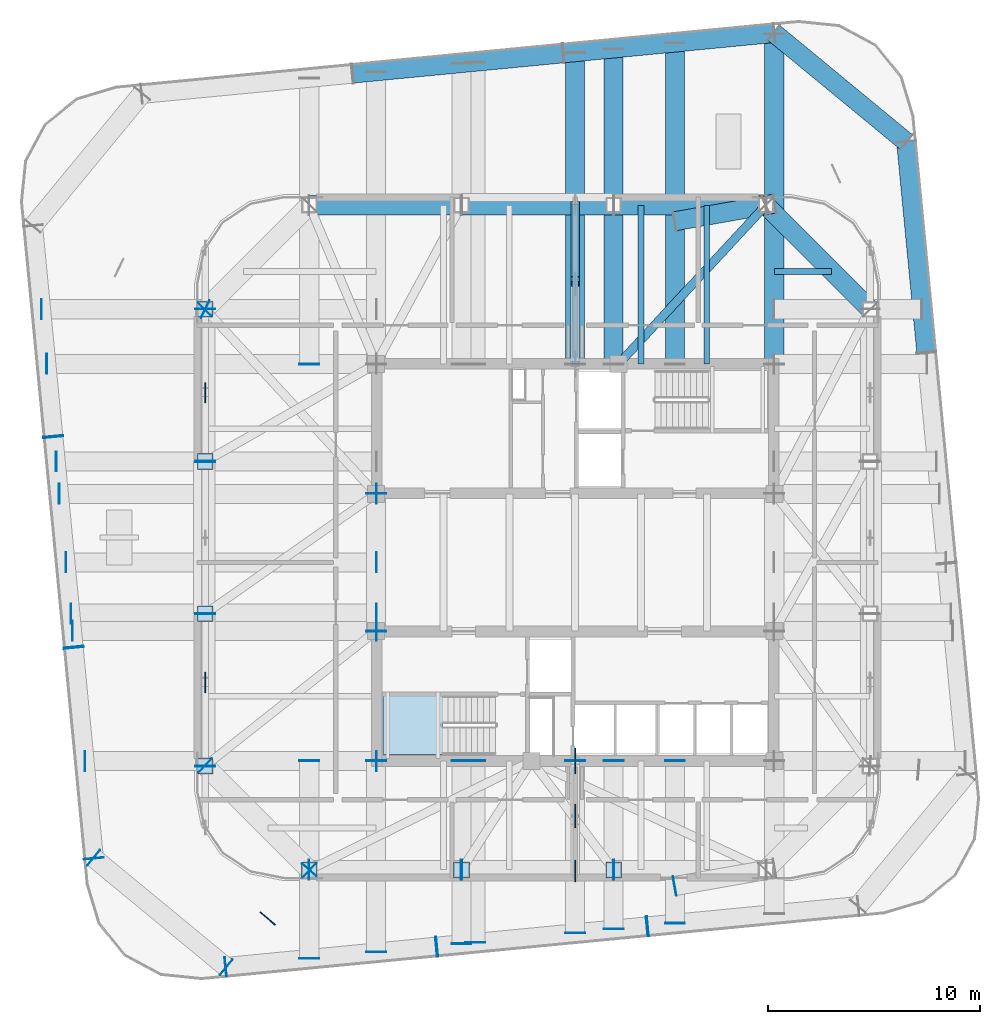
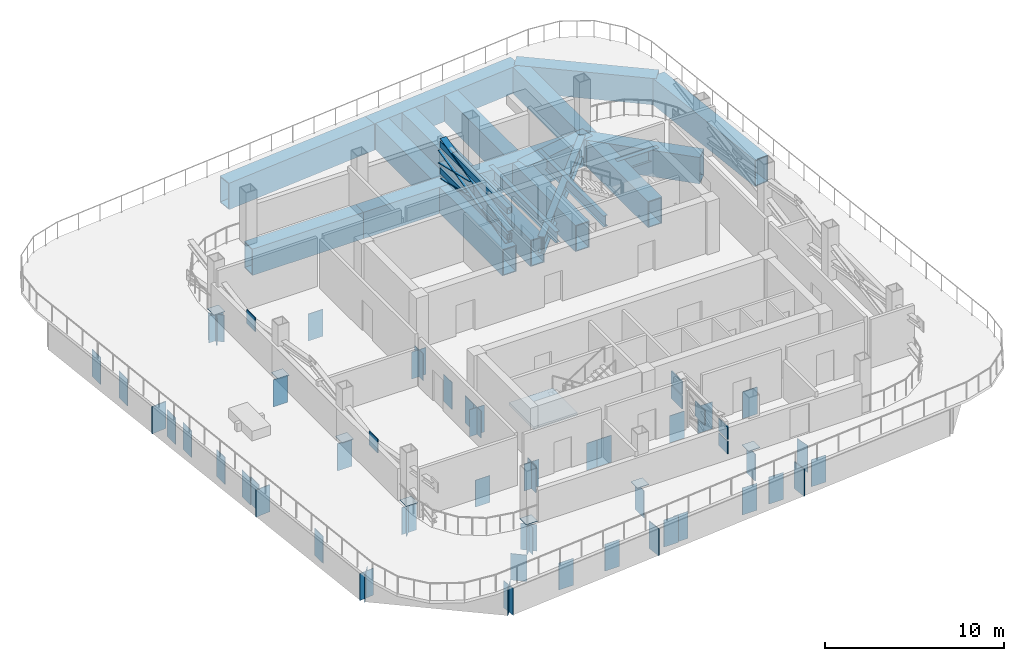
# One storey, part 3 of 12: 74 plates, 17 beams, 4 members, 1 slab, 1 element without a shape of its own.
"""IFC4 building model written with IfcOpenShell, lengths in metres."""

from ifc_helpers import new_model, si_unit, direction, frame, origin, origin_2d, place, context, subcontext, project, spatial, polyline, rectangle, hollow_rectangle, i_section, outline, extrude, material, layer, layer_set, material_profile, profile_set, type_object, element, aggregate, save


model = new_model("IFC4")

# Units and contexts
model_context = context("Model", 3, precision=1e-05, world=origin(), true_north=direction((0.0, 1.0)))
body_context = subcontext(model_context, "Body", "Model", "MODEL_VIEW")
ifc_project = project(units=[si_unit("LENGTHUNIT", "METRE"), si_unit("AREAUNIT", "SQUARE_METRE"), si_unit("VOLUMEUNIT", "CUBIC_METRE"), si_unit("PLANEANGLEUNIT", "RADIAN"), si_unit("MASSUNIT", "GRAM", prefix="KILO")], contexts=[model_context])

# Site, building, storey
site_placement = place(None, origin())
site = spatial("IfcSite", under=ifc_project, at=site_placement, CompositionType="ELEMENT")
building_placement = place(site_placement, origin())
building = spatial("IfcBuilding", under=site, at=building_placement, Name="Qhalaya Broadcast Tower", CompositionType="ELEMENT")
storey_placement = place(building_placement, frame((0.0, 0.0, 187.949951171875)))
storey = spatial("IfcBuildingStorey", under=building, at=storey_placement, Name="L55", CompositionType="ELEMENT", Elevation=187.949951171875)

# Beams
ifc_material_1 = material(Name="Structural Steel ASTM A572 Grade 50", Category="steel")
ifc_material_profile_1 = material_profile(ifc_material_1, hollow_rectangle(XDim=0.89990234375, YDim=1.800048828125, WallThickness=0.06005859375, at=origin_2d()), Name="BOX 900x1800x60")
ifc_profile_set_1 = profile_set([ifc_material_profile_1], Name="Structural Steel ASTM A572 Grade 50")
beam_type_1 = type_object("IfcBeamType", Name="Block Cantilever Transfer Box Girder TG1", PredefinedType="USERDEFINED", material=ifc_profile_set_1)
beam_1_placement = place(storey_placement, frame((13.8798828125, 12.52001953125, -1.179931640625), z_axis=(-0.707106781187, 0.707106781187, 0.0), x_axis=(-0.707106781187, -0.707106781187, 0.0)))
element("IfcBeam", 1, at=beam_1_placement, inside=storey, type_object=beam_type_1, Name="L55 TG1 L55-SPR-08", ObjectType="GIRDER", PredefinedType="USERDEFINED", context=body_context, shape_type="SweptSolid", body=[
    extrude(hollow_rectangle(XDim=0.89990234375, YDim=1.800048828125, WallThickness=0.06005859375, at=origin_2d()), origin(), (0.0, 0.0, 1.0), 6.929443359375),
])
beam_2_placement = place(storey_placement, frame((8.97998046875, 17.419921875, -1.179931640625), z_axis=(-1.0, 0.0, 0.0), x_axis=(0.0, -1.0, 0.0)))
element("IfcBeam", 2, at=beam_2_placement, inside=storey, type_object=beam_type_1, Name="L55 TG1 L55-SPR-09", ObjectType="GIRDER", PredefinedType="USERDEFINED", context=body_context, shape_type="SweptSolid", body=[
    extrude(hollow_rectangle(XDim=0.89990234375, YDim=1.800048828125, WallThickness=0.06005859375, at=origin_2d()), origin(), (0.0, 0.0, 1.0), 7.166748046875),
])
beam_3_placement = place(storey_placement, frame((1.813232421875, 17.419921875, -1.179931640625), z_axis=(-1.0, 0.0, 0.0), x_axis=(0.0, -1.0, 0.0)))
element("IfcBeam", 3, at=beam_3_placement, inside=storey, type_object=beam_type_1, Name="L55 TG1 L55-SPR-10", ObjectType="GIRDER", PredefinedType="USERDEFINED", context=body_context, shape_type="SweptSolid", body=[
    extrude(hollow_rectangle(XDim=0.89990234375, YDim=1.800048828125, WallThickness=0.06005859375, at=origin_2d()), origin(), (0.0, 0.0, 1.0), 7.16650390625),
])
beam_4_placement = place(storey_placement, frame((-5.353271484375, 17.419921875, -1.179931640625), z_axis=(-1.0, 0.0, 0.0), x_axis=(0.0, -1.0, 0.0)))
element("IfcBeam", 4, at=beam_4_placement, inside=storey, type_object=beam_type_1, Name="L55 TG1 L55-SPR-11", ObjectType="GIRDER", PredefinedType="USERDEFINED", context=body_context, shape_type="SweptSolid", body=[
    extrude(hollow_rectangle(XDim=0.89990234375, YDim=1.800048828125, WallThickness=0.06005859375, at=origin_2d()), origin(), (0.0, 0.0, 1.0), 7.166748046875),
])
beam_5_placement = place(storey_placement, frame((16.537353515625, 10.4794921875, -1.179931640625), z_axis=(-0.095850563819, 0.99539573508, 0.0), x_axis=(-0.99539573508, -0.095850563819, 0.0)))
element("IfcBeam", 5, at=beam_5_placement, inside=storey, type_object=beam_type_1, Name="L55 TG1 L55-TGL-07", ObjectType="GIRDER", PredefinedType="USERDEFINED", context=body_context, shape_type="SweptSolid", body=[
    extrude(hollow_rectangle(XDim=0.89990234375, YDim=1.800048828125, WallThickness=0.06005859375, at=origin_2d()), origin(), (0.0, 0.0, 1.0), 9.966796875),
])
beam_6_placement = place(storey_placement, frame((15.58203125, 20.400390625, -1.179931640625), z_axis=(-0.771618906354, 0.636085107008, 0.0), x_axis=(-0.636085107008, -0.771618906354, 0.0)))
element("IfcBeam", 6, at=beam_6_placement, inside=storey, type_object=beam_type_1, Name="L55 TG1 L55-TGL-08", ObjectType="GIRDER", PredefinedType="USERDEFINED", context=body_context, shape_type="SweptSolid", body=[
    extrude(hollow_rectangle(XDim=0.89990234375, YDim=1.800048828125, WallThickness=0.06005859375, at=origin_2d()), origin(), (0.0, 0.0, 1.0), 8.06103515625),
])
beam_7_placement = place(storey_placement, frame((9.362060546875, 25.52783203125, -1.179931640625), z_axis=(-0.99539573508, -0.095850563819, 0.0), x_axis=(0.095850563819, -0.99539573508, 0.0)))
element("IfcBeam", 7, at=beam_7_placement, inside=storey, type_object=beam_type_1, Name="L55 TG1 L55-TGL-09", ObjectType="GIRDER", PredefinedType="USERDEFINED", context=body_context, shape_type="SweptSolid", body=[
    extrude(hollow_rectangle(XDim=0.89990234375, YDim=1.800048828125, WallThickness=0.06005859375, at=origin_2d()), origin(), (0.0, 0.0, 1.0), 9.966796875),
])
beam_8_placement = place(storey_placement, frame((-0.558837890625, 24.572509765625, -1.179931640625), z_axis=(-0.995395510024, -0.095852900965, 0.0), x_axis=(0.095852900965, -0.995395510024, 0.0)))
element("IfcBeam", 8, at=beam_8_placement, inside=storey, type_object=beam_type_1, Name="L55 TG1 L55-TGL-10", ObjectType="GIRDER", PredefinedType="USERDEFINED", context=body_context, shape_type="SweptSolid", body=[
    extrude(hollow_rectangle(XDim=0.89990234375, YDim=1.800048828125, WallThickness=0.06005859375, at=origin_2d()), origin(), (0.0, 0.0, 1.0), 9.966552734375),
])
beam_9_placement = place(storey_placement, frame((9.375, 9.949951171875, -1.179931640625), z_axis=(0.0, 1.0, 0.0), x_axis=(-1.0, 0.0, 0.0)))
element("IfcBeam", 9, at=beam_9_placement, inside=storey, type_object=beam_type_1, Name="L55 TG1 L55-TGINE-1", ObjectType="GIRDER", PredefinedType="USERDEFINED", context=body_context, shape_type="SweptSolid", body=[
    extrude(hollow_rectangle(XDim=0.89990234375, YDim=1.800048828125, WallThickness=0.06005859375, at=origin_2d()), origin(), (0.0, 0.0, 1.0), 15.51513671875),
])
beam_10_placement = place(storey_placement, frame((0.0, 9.949951171875, -1.179931640625), z_axis=(0.0, 1.0, 0.0), x_axis=(-1.0, 0.0, 0.0)))
element("IfcBeam", 10, at=beam_10_placement, inside=storey, type_object=beam_type_1, Name="L55 TG1 L55-TGIMN-1", ObjectType="GIRDER", PredefinedType="USERDEFINED", context=body_context, shape_type="SweptSolid", body=[
    extrude(hollow_rectangle(XDim=0.89990234375, YDim=1.800048828125, WallThickness=0.06005859375, at=origin_2d()), origin(), (0.0, 0.0, 1.0), 14.63623046875),
])
beam_11_placement = place(storey_placement, frame((4.699951171875, 9.949951171875, -1.179931640625), z_axis=(0.0, 1.0, 0.0), x_axis=(-1.0, 0.0, 0.0)))
element("IfcBeam", 11, at=beam_11_placement, inside=storey, type_object=beam_type_1, Name="L55 TG1 L55-TGIMNE-1", ObjectType="GIRDER", PredefinedType="USERDEFINED", context=body_context, shape_type="SweptSolid", body=[
    extrude(hollow_rectangle(XDim=0.89990234375, YDim=1.800048828125, WallThickness=0.06005859375, at=origin_2d()), origin(), (0.0, 0.0, 1.0), 15.0888671875),
])
beam_12_placement = place(storey_placement, frame((4.699951171875, 16.665283203125, -1.179931640625), z_axis=(0.984803226475, 0.173673846979, 0.0), x_axis=(-0.173673846979, 0.984803226475, 0.0)))
element("IfcBeam", 12, at=beam_12_placement, inside=storey, type_object=beam_type_1, Name="L55 Spanning Transfer Box Girder 09", ObjectType="GIRDER", PredefinedType="USERDEFINED", context=body_context, shape_type="SweptSolid", body=[
    extrude(hollow_rectangle(XDim=0.89990234375, YDim=1.800048828125, WallThickness=0.06005859375, at=origin_2d()), origin(), (0.0, 0.0, 1.0), 4.7470703125),
])
beam_13_placement = place(storey_placement, frame((1.813232421875, 9.949951171875, -1.179931640625), z_axis=(0.0, 1.0, 0.0), x_axis=(-1.0, 0.0, 0.0)))
element("IfcBeam", 13, at=beam_13_placement, inside=storey, type_object=beam_type_1, Name="L55 Spanning Transfer Box Girder 10", ObjectType="GIRDER", PredefinedType="USERDEFINED", context=body_context, shape_type="SweptSolid", body=[
    extrude(hollow_rectangle(XDim=0.89990234375, YDim=1.800048828125, WallThickness=0.06005859375, at=origin_2d()), origin(), (0.0, 0.0, 1.0), 14.810791015625),
])

# Members
ifc_material_profile_2 = material_profile(ifc_material_1, i_section(OverallWidth=0.40087890625, OverallDepth=1.0009765625, WebThickness=0.01904296875, FlangeThickness=0.0361328125, at=origin_2d()), Name="W40X249")
ifc_profile_set_2 = profile_set([ifc_material_profile_2], Name="Structural Steel ASTM A572 Grade 50")
member_type_1 = type_object("IfcMemberType", Name="Core-to-Perimeter Outrigger Brace OB1", PredefinedType="BRACE", material=ifc_profile_set_2)
member_1_placement = place(storey_placement, frame((0.0, 9.949951171875, 0.449951171875), z_axis=(0.0, 0.972819090364, 0.231566442781), x_axis=(-1.0, 0.0, 0.0)))
element("IfcMember", 14, at=member_1_placement, inside=storey, type_object=member_type_1, Name="L55 Outrigger Continuous Diagonal NCA", PredefinedType="BRACE", context=body_context, shape_type="SweptSolid", body=[
    extrude(i_section(OverallWidth=0.40087890625, OverallDepth=1.0009765625, WebThickness=0.01904296875, FlangeThickness=0.0361328125, at=origin_2d()), origin(), (0.0, 0.0, 1.0), 7.730224609375),
])
member_2_placement = place(storey_placement, frame((0.0, 13.943603515625, 1.28955078125), z_axis=(0.0, 0.972806937323, -0.231617492208), x_axis=(-1.0, 0.0, 0.0)))
element("IfcMember", 15, at=member_2_placement, inside=storey, type_object=member_type_1, Name="L55 Outrigger Split Diagonal NCB2", PredefinedType="BRACE", context=body_context, shape_type="SweptSolid", body=[
    extrude(i_section(OverallWidth=0.40087890625, OverallDepth=1.0009765625, WebThickness=0.01904296875, FlangeThickness=0.0361328125, at=origin_2d()), origin(), (0.0, 0.0, 1.0), 3.625),
])
ifc_material_profile_3 = material_profile(ifc_material_1, hollow_rectangle(XDim=0.300048828125, YDim=0.39990234375, WallThickness=0.02001953125, at=origin_2d()), Name="HSS 300x400x20")
ifc_profile_set_3 = profile_set([ifc_material_profile_3], Name="Structural Steel ASTM A572 Grade 50")
member_type_2 = type_object("IfcMemberType", Name="Outrigger & Belt-Truss Chord CH1", PredefinedType="CHORD", material=ifc_profile_set_3)
for number, where, z_axis, x_axis, name in (
    (16, (0.0, 9.949951171875, 0.449951171875), (0.0, 1.0, 0.0), (-1.0, 0.0, 0.0), "L55 Outrigger Bottom Chord NC"),
    (17, (0.0, 9.949951171875, 2.239990234375), (0.0, 1.0, 0.0), (-1.0, 0.0, 0.0), "L55 Outrigger Top Chord NC"),
):
    element("IfcMember", number, at=place(storey_placement, frame(where, z_axis=z_axis, x_axis=x_axis)), inside=storey, type_object=member_type_2, Name=name, PredefinedType="CHORD", context=body_context, shape_type="SweptSolid", body=[
        extrude(hollow_rectangle(XDim=0.300048828125, YDim=0.39990234375, WallThickness=0.02001953125, at=origin_2d()), origin(), (0.0, 0.0, 1.0), 7.52001953125),
    ])

# Beams
ifc_material_2 = material(Name="Structural Steel ASTM A992 Grade 50", Category="steel")
ifc_material_profile_4 = material_profile(ifc_material_2, i_section(OverallWidth=0.26708984375, OverallDepth=0.761962890625, WebThickness=0.014404296875, FlangeThickness=0.021484375, at=origin_2d()), Name="W30X116")
ifc_profile_set_4 = profile_set([ifc_material_profile_4], Name="Structural Steel ASTM A992 Grade 50")
beam_type_2 = type_object("IfcBeamType", Name="Plant & Server Floor Beam B02", PredefinedType="BEAM", material=ifc_profile_set_4)
for number, where, z_axis, x_axis, name in (
    (18, (3.10009765625, 9.949951171875, -0.660888671875), (0.0, 1.0, 0.0), (-1.0, 0.0, 0.0), "L55 B02 L55-JNN4-1"),
    (19, (6.199951171875, 9.949951171875, -0.660888671875), (0.0, 1.0, 0.0), (-1.0, 0.0, 0.0), "L55 B02 L55-JNN5-1"),
):
    element("IfcBeam", number, at=place(storey_placement, frame(where, z_axis=z_axis, x_axis=x_axis)), inside=storey, type_object=beam_type_2, Name=name, PredefinedType="BEAM", context=body_context, shape_type="SweptSolid", body=[
        extrude(i_section(OverallWidth=0.26708984375, OverallDepth=0.761962890625, WebThickness=0.014404296875, FlangeThickness=0.021484375, at=origin_2d()), origin(), (0.0, 0.0, 1.0), 7.449951171875),
    ])
beam_14_placement = place(storey_placement, frame((9.375, 14.300048828125, -0.660888671875), z_axis=(1.0, 0.0, 0.0), x_axis=(0.0, 1.0, 0.0)))
element("IfcBeam", 20, at=beam_14_placement, inside=storey, type_object=beam_type_2, Name="L55 B02 L55-JWE6E-1", PredefinedType="BEAM", context=body_context, shape_type="SweptSolid", body=[
    extrude(i_section(OverallWidth=0.26708984375, OverallDepth=0.761962890625, WebThickness=0.014404296875, FlangeThickness=0.021484375, at=origin_2d()), origin(), (0.0, 0.0, 1.0), 2.69677734375),
])
ifc_material_profile_5 = material_profile(ifc_material_2, i_section(OverallWidth=0.404052734375, OverallDepth=1.117919921875, WebThickness=0.026123046875, FlangeThickness=0.044921875, at=origin_2d()), Name="W44X335")
ifc_profile_set_5 = profile_set([ifc_material_profile_5], Name="Structural Steel ASTM A992 Grade 50")
beam_type_3 = type_object("IfcBeamType", Name="Podium Long-Span Primary Girder PG1", PredefinedType="USERDEFINED", material=ifc_profile_set_5)
beam_15_placement = place(storey_placement, frame((2.050048828125, 9.949951171875, -0.8388671875), z_axis=(0.680110068888, 0.733110015071, 0.0), x_axis=(-0.733110015071, 0.680110068888, 0.0)))
element("IfcBeam", 21, at=beam_15_placement, inside=storey, type_object=beam_type_3, Name="L55 Column-to-Column Moment Tie Girder 09-1", ObjectType="GIRDER", PredefinedType="USERDEFINED", context=body_context, shape_type="SweptSolid", body=[
    extrude(i_section(OverallWidth=0.404052734375, OverallDepth=1.117919921875, WebThickness=0.026123046875, FlangeThickness=0.044921875, at=origin_2d()), origin(), (0.0, 0.0, 1.0), 10.189453125),
])

# Plates
ifc_layer_1 = layer(ifc_material_1, 0.4599609375, Name="Structural Steel ASTM A572 Grade 50")
ifc_layer_set_1 = layer_set([ifc_layer_1], Name="Structural Steel ASTM A572 Grade 50")
plate_type_1 = type_object("IfcPlateType", Name="Hollow Box Member End Cap Plate CP-01", PredefinedType="USERDEFINED", material=ifc_layer_set_1)
for number, where, z_axis, x_axis, name in (
    (22, (-12.535888671875, -13.8798828125, -2.10009765625), (0.0, 0.0, 1.0), (0.0, 1.0, 0.0), "L55 Hollow Girder End Cap L55-SPR-01-A"),
    (23, (-5.33740234375, -13.8798828125, -2.10009765625), (0.0, 0.0, 1.0), (0.0, 1.0, 0.0), "L55 Hollow Girder End Cap L55-SPR-01-B"),
    (24, (-5.369384765625, -13.8798828125, -2.10009765625), (0.0, 0.0, 1.0), (0.0, 1.0, 0.0), "L55 Hollow Girder End Cap L55-SPR-02-A"),
    (25, (1.829345703125, -13.8798828125, -2.10009765625), (0.0, 0.0, 1.0), (0.0, 1.0, 0.0), "L55 Hollow Girder End Cap L55-SPR-02-B"),
    (26, (1.79736328125, -13.8798828125, -2.10009765625), (0.0, 0.0, 1.0), (0.0, 1.0, 0.0), "L55 Hollow Girder End Cap L55-SPR-03-A"),
    (27, (-17.431396484375, 12.5087890625, -2.10009765625), (0.0, 0.0, 1.0), (0.707106781187, -0.707106781187, 0.0), "L55 Hollow Girder End Cap L55-SPR-12-B"),
    (28, (-17.419921875, 12.535888671875, -2.10009765625), (0.0, 0.0, 1.0), (1.0, 0.0, 0.0), "L55 Hollow Girder End Cap L55-SPR-13-A"),
    (29, (-17.419921875, 5.33740234375, -2.10009765625), (0.0, 0.0, 1.0), (1.0, 0.0, 0.0), "L55 Hollow Girder End Cap L55-SPR-13-B"),
    (30, (-17.419921875, 5.369384765625, -2.10009765625), (0.0, 0.0, 1.0), (1.0, 0.0, 0.0), "L55 Hollow Girder End Cap L55-SPR-14-A"),
    (31, (-17.419921875, -1.829345703125, -2.10009765625), (0.0, 0.0, 1.0), (1.0, 0.0, 0.0), "L55 Hollow Girder End Cap L55-SPR-14-B"),
    (32, (-17.419921875, -1.79736328125, -2.10009765625), (0.0, 0.0, 1.0), (1.0, 0.0, 0.0), "L55 Hollow Girder End Cap L55-SPR-15-A"),
    (33, (-17.419921875, -8.99609375, -2.10009765625), (0.0, 0.0, 1.0), (1.0, 0.0, 0.0), "L55 Hollow Girder End Cap L55-SPR-15-B"),
    (34, (-17.431396484375, -8.96875, -2.10009765625), (0.0, 0.0, 1.0), (0.707106781187, 0.707106781187, 0.0), "L55 Hollow Girder End Cap L55-SPR-16-A"),
    (35, (-12.5087890625, -13.891357421875, -2.10009765625), (0.0, 0.0, 1.0), (0.707106781187, 0.707106781187, 0.0), "L55 Hollow Girder End Cap L55-SPR-16-B"),
    (36, (-16.4580078125, -18.44921875, -2.10009765625), (0.0, 0.0, 1.0), (-0.09584575252, 0.995396198367, 0.0), "L55 Hollow Girder End Cap L55-TGL-01-A"),
    (37, (-6.50537109375, -17.4912109375, -2.10009765625), (0.0, 0.0, 1.0), (-0.09584575252, 0.995396198367, 0.0), "L55 Hollow Girder End Cap L55-TGL-01-B"),
    (38, (-6.537109375, -17.494140625, -2.10009765625), (0.0, 0.0, 1.0), (-0.09584575252, 0.995396198367, 0.0), "L55 Hollow Girder End Cap L55-TGL-02-A"),
    (39, (3.41552734375, -16.535888671875, -2.10009765625), (0.0, 0.0, 1.0), (-0.09584575252, 0.995396198367, 0.0), "L55 Hollow Girder End Cap L55-TGL-02-B"),
    (40, (3.3837890625, -16.538818359375, -2.10009765625), (0.0, 0.0, 1.0), (-0.09584575252, 0.995396198367, 0.0), "L55 Hollow Girder End Cap L55-TGL-03-A"),
    (41, (-24.571044921875, 6.50537109375, -2.10009765625), (0.0, 0.0, 1.0), (0.995396198367, 0.09584575252, 0.0), "L55 Hollow Girder End Cap L55-TGL-13-B"),
    (42, (-24.57421875, 6.537109375, -2.10009765625), (0.0, 0.0, 1.0), (0.995396198367, 0.09584575252, 0.0), "L55 Hollow Girder End Cap L55-TGL-14-A"),
    (43, (-23.61572265625, -3.41552734375, -2.10009765625), (0.0, 0.0, 1.0), (0.995396198367, 0.09584575252, 0.0), "L55 Hollow Girder End Cap L55-TGL-14-B"),
    (44, (-23.618896484375, -3.3837890625, -2.10009765625), (0.0, 0.0, 1.0), (0.995396198367, 0.09584575252, 0.0), "L55 Hollow Girder End Cap L55-TGL-15-A"),
    (45, (-22.660400390625, -13.336181640625, -2.10009765625), (0.0, 0.0, 1.0), (0.995396198367, 0.09584575252, 0.0), "L55 Hollow Girder End Cap L55-TGL-15-B"),
    (46, (-22.67431640625, -13.310302734375, -2.10009765625), (0.0, 0.0, 1.0), (0.636078220278, 0.771624583388, 0.0), "L55 Hollow Girder End Cap L55-TGL-16-A"),
    (47, (-16.4296875, -18.4580078125, -2.10009765625), (0.0, 0.0, 1.0), (0.636078220278, 0.771624583388, 0.0), "L55 Hollow Girder End Cap L55-TGL-16-B"),
    (48, (0.0, -16.840576171875, -2.10009765625), (0.0, 0.0, 1.0), (-1.0, 0.0, 0.0), "L55 Hollow Girder End Cap L55-TGIMS-1-A"),
    (49, (0.0, -8.73388671875, -2.10009765625), (0.0, 0.0, 1.0), (-1.0, 0.0, 0.0), "L55 Hollow Girder End Cap L55-TGIMS-1-B"),
    (50, (-4.699951171875, -17.29296875, -2.10009765625), (0.0, 0.0, 1.0), (-1.0, 0.0, 0.0), "L55 Hollow Girder End Cap L55-TGIMSW-1-A"),
    (51, (-4.699951171875, -8.73388671875, -2.10009765625), (0.0, 0.0, 1.0), (-1.0, 0.0, 0.0), "L55 Hollow Girder End Cap L55-TGIMSW-1-B"),
    (52, (4.699951171875, -16.387939453125, -2.10009765625), (0.0, 0.0, 1.0), (-1.0, 0.0, 0.0), "L55 Hollow Girder End Cap L55-TGIMSE-1-A"),
    (53, (4.699951171875, -8.73388671875, -2.10009765625), (0.0, 0.0, 1.0), (-1.0, 0.0, 0.0), "L55 Hollow Girder End Cap L55-TGIMSE-1-B"),
    (54, (-23.978271484375, 0.60009765625, -2.10009765625), (0.0, 0.0, 1.0), (0.0, 1.0, 0.0), "L55 Hollow Girder End Cap L55-TGIYW-1-A"),
    (55, (-9.35888671875, 0.60009765625, -2.10009765625), (0.0, 0.0, 1.0), (0.0, 1.0, 0.0), "L55 Hollow Girder End Cap L55-TGIYW-1-B"),
    (56, (-9.375, -17.7431640625, -2.10009765625), (0.0, 0.0, 1.0), (-1.0, 0.0, 0.0), "L55 Hollow Girder End Cap L55-TGISW-1-A"),
    (57, (-9.375, -8.73388671875, -2.10009765625), (0.0, 0.0, 1.0), (-1.0, 0.0, 0.0), "L55 Hollow Girder End Cap L55-TGISW-1-B"),
    (58, (-9.375, -2.64111328125, -2.10009765625), (0.0, 0.0, 1.0), (-1.0, 0.0, 0.0), "L55 Hollow Girder End Cap L55-TGIMW-1-A"),
    (59, (-9.375, 3.841064453125, -2.10009765625), (0.0, 0.0, 1.0), (-1.0, 0.0, 0.0), "L55 Hollow Girder End Cap L55-TGIMW-1-B"),
    (60, (-23.077880859375, -8.75, -2.10009765625), (0.0, 0.0, 1.0), (0.0, 1.0, 0.0), "L55 Hollow Girder End Cap L55-TGIY1W-1-A"),
    (61, (-9.35888671875, -8.75, -2.10009765625), (0.0, 0.0, 1.0), (0.0, 1.0, 0.0), "L55 Hollow Girder End Cap L55-TGIY1W-1-B"),
    (62, (-23.667724609375, -2.625, -2.10009765625), (0.0, 0.0, 1.0), (0.0, 1.0, 0.0), "L55 Hollow Girder End Cap L55-TGIY2W-1-A"),
    (63, (-9.35888671875, -2.625, -2.10009765625), (0.0, 0.0, 1.0), (0.0, 1.0, 0.0), "L55 Hollow Girder End Cap L55-TGIY2W-1-B"),
    (64, (-24.288818359375, 3.824951171875, -2.10009765625), (0.0, 0.0, 1.0), (0.0, 1.0, 0.0), "L55 Hollow Girder End Cap L55-TGIY3W-1-A"),
    (65, (-9.35888671875, 3.824951171875, -2.10009765625), (0.0, 0.0, 1.0), (0.0, 1.0, 0.0), "L55 Hollow Girder End Cap L55-TGIY3W-1-B"),
    (66, (-24.87841796875, 9.949951171875, -2.10009765625), (0.0, 0.0, 1.0), (0.0, 1.0, 0.0), "L55 Hollow Girder End Cap L55-TGIY4W-1-A"),
    (67, (-12.52001953125, -18.0458984375, -2.10009765625), (0.0, 0.0, 1.0), (-1.0, 0.0, 0.0), "L55 Hollow Girder End Cap L55-TGC-01-A"),
    (68, (-12.52001953125, -8.73388671875, -2.10009765625), (0.0, 0.0, 1.0), (-1.0, 0.0, 0.0), "L55 Hollow Girder End Cap L55-TGC-01-B"),
):
    element("IfcPlate", number, at=place(storey_placement, frame(where, z_axis=z_axis, x_axis=x_axis)), inside=storey, type_object=plate_type_1, Name=name, ObjectType="COVER_PLATE", PredefinedType="USERDEFINED", context=body_context, shape_type="SweptSolid", body=[
        extrude(rectangle(XDim=0.93994140625, YDim=0.031982421875, at=origin_2d()), origin(), (0.0, 0.0, 1.0), 1.840087890625),
    ])
plate_1_placement = place(storey_placement, frame((-12.52001953125, -13.8798828125, -2.080078125), z_axis=(0.0, 0.0, 1.0), x_axis=(-0.758703110659, 0.651436558597, 0.0)))
element("IfcPlate", 69, at=plate_1_placement, inside=storey, type_object=plate_type_1, Name="L55 Transfer Box End Cap 01", ObjectType="COVER_PLATE", PredefinedType="USERDEFINED", context=body_context, shape_type="SweptSolid", body=[
    extrude(rectangle(XDim=0.919921875, YDim=0.035888671875, at=origin_2d()), origin(), (0.0, 0.0, 1.0), 1.800048828125),
])
for number, where, z_axis, x_axis, name in (
    (70, (-5.353271484375, -17.35595703125, -2.10009765625), (0.0, 0.0, 1.0), (-1.0, 0.0, 0.0), "L55 Hollow Girder End Cap L55-TGC-02-A"),
    (71, (-5.353271484375, -8.73388671875, -2.10009765625), (0.0, 0.0, 1.0), (-1.0, 0.0, 0.0), "L55 Hollow Girder End Cap L55-TGC-02-B"),
    (72, (1.813232421875, -16.666015625, -2.10009765625), (0.0, 0.0, 1.0), (-1.0, 0.0, 0.0), "L55 Hollow Girder End Cap L55-TGC-03-A"),
    (73, (1.813232421875, -8.73388671875, -2.10009765625), (0.0, 0.0, 1.0), (-1.0, 0.0, 0.0), "L55 Hollow Girder End Cap L55-TGC-03-B"),
    (74, (4.68408203125, -14.637451171875, -2.10009765625), (0.0, 0.0, 1.0), (-0.173648177667, 0.984807753012, 0.0), "L55 Hollow Girder End Cap L55-TGC-04-A"),
    (75, (-12.52001953125, 9.93408203125, -2.10009765625), (0.0, 0.0, 1.0), (-1.0, 0.0, 0.0), "L55 Hollow Girder End Cap L55-TGC-12-A"),
    (76, (-25.1259765625, 12.52001953125, -2.10009765625), (0.0, 0.0, 1.0), (0.0, 1.0, 0.0), "L55 Hollow Girder End Cap L55-TGC-13-A"),
):
    element("IfcPlate", number, at=place(storey_placement, frame(where, z_axis=z_axis, x_axis=x_axis)), inside=storey, type_object=plate_type_1, Name=name, ObjectType="COVER_PLATE", PredefinedType="USERDEFINED", context=body_context, shape_type="SweptSolid", body=[
        extrude(rectangle(XDim=0.93994140625, YDim=0.031982421875, at=origin_2d()), origin(), (0.0, 0.0, 1.0), 1.840087890625),
    ])
plate_2_placement = place(storey_placement, frame((-17.419921875, 12.52001953125, -2.080078125), z_axis=(0.0, 0.0, 1.0), x_axis=(0.435466787358, 0.900204797315, 0.0)))
element("IfcPlate", 77, at=plate_2_placement, inside=storey, type_object=plate_type_1, Name="L55 Transfer Box End Cap 13", ObjectType="COVER_PLATE", PredefinedType="USERDEFINED", context=body_context, shape_type="SweptSolid", body=[
    extrude(rectangle(XDim=0.919921875, YDim=0.035888671875, at=origin_2d()), origin(), (0.0, 0.0, 1.0), 1.800048828125),
])
for number, where, z_axis, x_axis, name in (
    (78, (-24.43603515625, 5.353271484375, -2.10009765625), (0.0, 0.0, 1.0), (0.0, 1.0, 0.0), "L55 Hollow Girder End Cap L55-TGC-14-A"),
    (79, (-23.745849609375, -1.813232421875, -2.10009765625), (0.0, 0.0, 1.0), (0.0, 1.0, 0.0), "L55 Hollow Girder End Cap L55-TGC-15-A"),
    (80, (-9.35888671875, -1.813232421875, -2.10009765625), (0.0, 0.0, 1.0), (0.0, 1.0, 0.0), "L55 Hollow Girder End Cap L55-TGC-15-B"),
):
    element("IfcPlate", number, at=place(storey_placement, frame(where, z_axis=z_axis, x_axis=x_axis)), inside=storey, type_object=plate_type_1, Name=name, ObjectType="COVER_PLATE", PredefinedType="USERDEFINED", context=body_context, shape_type="SweptSolid", body=[
        extrude(rectangle(XDim=0.93994140625, YDim=0.031982421875, at=origin_2d()), origin(), (0.0, 0.0, 1.0), 1.840087890625),
    ])
for number, where, z_axis, x_axis, name in (
    (81, (-12.52001953125, -13.8798828125, -0.03173828125), (0.0, 0.0, 1.0), (1.0, 0.0, 0.0), "L55 Hollow Box Column Base Cap Plate COL-NK01"),
    (82, (-5.353271484375, -13.8798828125, -0.03173828125), (0.0, 0.0, 1.0), (1.0, 0.0, 0.0), "L55 Hollow Box Column Base Cap Plate COL-NK02"),
    (83, (1.813232421875, -13.8798828125, -0.03173828125), (0.0, 0.0, 1.0), (1.0, 0.0, 0.0), "L55 Hollow Box Column Base Cap Plate COL-NK03"),
    (84, (-17.419921875, 12.52001953125, -0.03173828125), (0.0, 0.0, 1.0), (0.0, 1.0, 0.0), "L55 Hollow Box Column Base Cap Plate COL-NK13"),
    (85, (-17.419921875, 5.353271484375, -0.03173828125), (0.0, 0.0, 1.0), (0.0, 1.0, 0.0), "L55 Hollow Box Column Base Cap Plate COL-NK14"),
    (86, (-17.419921875, -1.813232421875, -0.03173828125), (0.0, 0.0, 1.0), (0.0, 1.0, 0.0), "L55 Hollow Box Column Base Cap Plate COL-NK15"),
    (87, (-17.419921875, -8.97998046875, -0.03173828125), (0.0, 0.0, 1.0), (0.0, 1.0, 0.0), "L55 Hollow Box Column Base Cap Plate COL-NK16"),
):
    element("IfcPlate", number, at=place(storey_placement, frame(where, z_axis=z_axis, x_axis=x_axis)), inside=storey, type_object=plate_type_1, Name=name, ObjectType="COVER_PLATE", PredefinedType="USERDEFINED", context=body_context, shape_type="SweptSolid", body=[
        extrude(rectangle(XDim=0.739990234375, YDim=0.739990234375, at=origin_2d()), origin(), (0.0, 0.0, 1.0), 0.031982421875),
    ])
ifc_layer_2 = layer(ifc_material_1, 0.06005859375, Name="Structural Steel ASTM A572 Grade 50")
ifc_layer_set_2 = layer_set([ifc_layer_2], Name="Structural Steel ASTM A572 Grade 50")
plate_type_2 = type_object("IfcPlateType", Name="Outrigger Core Embed Gusset Plate NP-02", PredefinedType="USERDEFINED", material=ifc_layer_set_2)
for number, where, z_axis, x_axis, name in (
    (88, (0.0, -8.75, 0.400146484375), (0.0, 0.0, 1.0), (0.0, -1.0, 0.0), "L55 Outrigger Gusset Node SC-C0"),
    (89, (0.0, -8.75, 1.39013671875), (0.0, 0.0, 1.0), (0.0, -1.0, 0.0), "L55 Outrigger Gusset Node SC-C1"),
):
    element("IfcPlate", number, at=place(storey_placement, frame(where, z_axis=z_axis, x_axis=x_axis)), inside=storey, type_object=plate_type_2, Name=name, ObjectType="GUSSET_PLATE", PredefinedType="USERDEFINED", context=body_context, shape_type="SweptSolid", body=[
        extrude(rectangle(XDim=1.199951171875, YDim=0.06005859375, at=origin_2d()), origin(), (0.0, 0.0, 1.0), 0.89990234375),
    ])
plate_3_placement = place(storey_placement, frame((0.0, -11.340087890625, 0.844970703125), z_axis=(0.0, 0.0, 1.0), x_axis=(0.0, -1.0, 0.0)))
element("IfcPlate", 90, at=plate_3_placement, inside=storey, type_object=plate_type_2, Name="L55 Outrigger Gusset Node SC-XM", ObjectType="GUSSET_PLATE", PredefinedType="USERDEFINED", context=body_context, shape_type="SweptSolid", body=[
    extrude(rectangle(XDim=1.10009765625, YDim=0.06005859375, at=origin_2d()), origin(), (0.0, 0.0, 1.0), 1.0),
])
for number, where, z_axis, x_axis, name in (
    (91, (0.0, -13.929931640625, 0.425048828125), (0.0, 0.0, 1.0), (0.0, -1.0, 0.0), "L55 Outrigger Gusset Node SC-P0"),
    (92, (0.0, -13.929931640625, 1.4150390625), (0.0, 0.0, 1.0), (0.0, -1.0, 0.0), "L55 Outrigger Gusset Node SC-P1"),
):
    element("IfcPlate", number, at=place(storey_placement, frame(where, z_axis=z_axis, x_axis=x_axis)), inside=storey, type_object=plate_type_2, Name=name, ObjectType="GUSSET_PLATE", PredefinedType="USERDEFINED", context=body_context, shape_type="SweptSolid", body=[
        extrude(rectangle(XDim=1.0, YDim=0.06005859375, at=origin_2d()), origin(), (0.0, 0.0, 1.0), 0.85009765625),
    ])
for number, where, z_axis, x_axis, name in (
    (93, (-17.419921875, -5.054931640625, 1.18505859375), (0.0, 0.0, 1.0), (0.0, 1.0, 0.0), "L55 Belt Truss X-Crossing Gusset W1"),
    (94, (-17.419921875, 8.594970703125, 1.18505859375), (0.0, 0.0, 1.0), (0.0, 1.0, 0.0), "L55 Belt Truss X-Crossing Gusset W2"),
):
    element("IfcPlate", number, at=place(storey_placement, frame(where, z_axis=z_axis, x_axis=x_axis)), inside=storey, type_object=plate_type_2, Name=name, ObjectType="GUSSET_PLATE", PredefinedType="USERDEFINED", context=body_context, shape_type="SweptSolid", body=[
        extrude(rectangle(XDim=0.949951171875, YDim=0.06005859375, at=origin_2d()), origin(), (0.0, 0.0, 1.0), 0.949951171875),
    ])

# Stair, slab
ifc_material_3 = material(Name="Concrete C40/50", Category="concrete")
stair_type = type_object("IfcStairType", Name="Protected Dogleg Core Stair 3600", PredefinedType="TWO_STRAIGHT_RUN_STAIR", material=ifc_material_3)
stair_placement = place(storey_placement, origin())
stair = element("IfcStair", 95, at=stair_placement, inside=storey, type_object=stair_type, Name="L55 South Core Exit Stair ST-2", PredefinedType="TWO_STRAIGHT_RUN_STAIR")
ifc_layer_3 = layer(ifc_material_3, 0.199951171875, Name="Concrete C40/50")
ifc_layer_set_3 = layer_set([ifc_layer_3], Name="Concrete C40/50")
slab_type = type_object("IfcSlabType", Name="Stair & Ramp Half-Landing Slab 200", PredefinedType="LANDING", material=ifc_layer_set_3)
slab_placement = place(storey_placement, frame((0.0, 0.0, 1.60009765625)))
slab = element("IfcSlab", 96, at=slab_placement, type_object=slab_type, Name="ST-2 landing 1", PredefinedType="LANDING", context=body_context, shape_type="SweptSolid", body=[
    extrude(outline(polyline([(-6.235107421875, -5.679931640625), (-9.050048828125, -5.679931640625), (-9.050048828125, -8.43994140625), (-6.235107421875, -8.43994140625), (-6.235107421875, -5.679931640625)])), origin(), (0.0, 0.0, 1.0), 0.199951171875),
])
aggregate(stair, [slab])

# Plate
ifc_layer_4 = layer(ifc_material_1, 0.044921875, Name="Structural Steel ASTM A572 Grade 50")
ifc_layer_set_4 = layer_set([ifc_layer_4], Name="Structural Steel ASTM A572 Grade 50")
plate_type_3 = type_object("IfcPlateType", Name="Transfer Girder Web Stiffener Plate WS-01", PredefinedType="USERDEFINED", material=ifc_layer_set_4)
plate_4_placement = place(storey_placement, frame((-14.48095703125, -16.163818359375, -2.080078125), z_axis=(0.0, 0.0, 1.0), x_axis=(-0.758703110659, 0.651436558597, 0.0)))
element("IfcPlate", 97, at=plate_4_placement, inside=storey, type_object=plate_type_3, Name="L55 Transfer Girder Stiffener 01", ObjectType="STIFFENER_PLATE", PredefinedType="USERDEFINED", context=body_context, shape_type="SweptSolid", body=[
    extrude(rectangle(XDim=0.93994140625, YDim=0.044921875, at=origin_2d()), origin(), (0.0, 0.0, 1.0), 1.800048828125),
])

save(model, "model.ifc")
